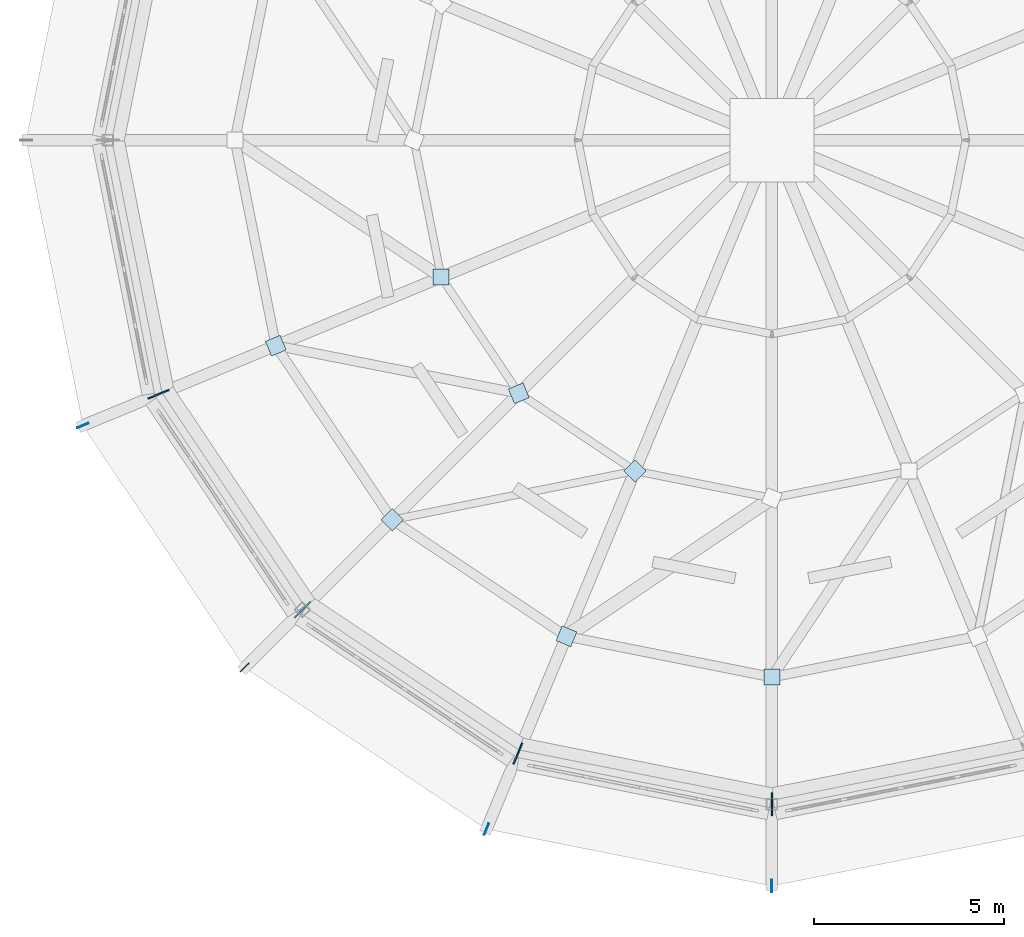
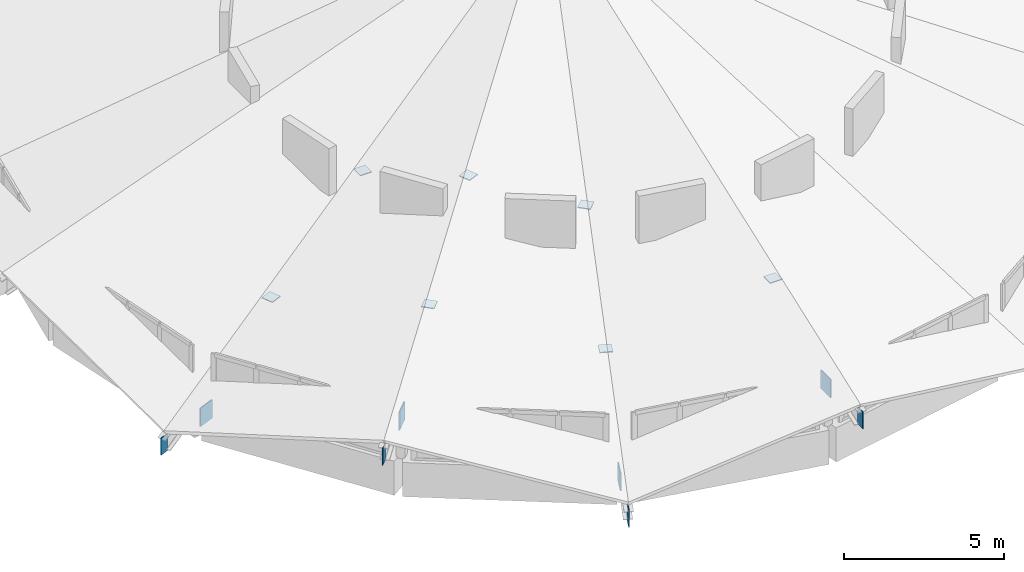
# One storey, part 12 of 18: 15 plates.
"""IFC4 building model written with IfcOpenShell, lengths in metres."""

import ifcopenshell
import ifcopenshell.guid

model = None  # the IFC model being written
_history = None  # IfcOwnerHistory: only IFC2X3 demands one
_inside = {}  # id of a spatial element -> (the spatial element, [elements in it])
_under = {}  # id of a project, library or spatial element -> (it, [spatial elements below it])
_declared = {}  # id of a project -> (the project, [libraries it declares])
_typed = {}  # id of a type object -> (the type object, [elements of that type])
_made_of = {}  # id of a material, layer set ... -> (it, [elements and type objects made of it])


def new_model(schema):
    """Start an empty IFC model of exactly this schema.

    Asked for "IFC4X3", IfcOpenShell would pick the latest addendum, in which some entities
    have other attributes; the version numbers below select the first issue.
    IFC2X3 requires an IfcOwnerHistory on every rooted entity: one is made here for all.
    """
    global model, _history
    if schema == "IFC4X3":
        model = ifcopenshell.file(schema_version=(4, 3, 0, 0))
    else:
        model = ifcopenshell.file(schema=schema)
    _inside.clear()
    _under.clear()
    _declared.clear()
    _typed.clear()
    _made_of.clear()
    _history = None
    if model.schema == "IFC2X3":
        org = make("IfcOrganization", Name="unknown")
        user = make(
            "IfcPersonAndOrganization",
            ThePerson=make("IfcPerson", FamilyName="unknown"),
            TheOrganization=org,
        )
        app = make(
            "IfcApplication",
            ApplicationDeveloper=org,
            Version="unknown",
            ApplicationFullName="unknown",
            ApplicationIdentifier="unknown",
        )
        _history = make(
            "IfcOwnerHistory",
            OwningUser=user,
            OwningApplication=app,
            ChangeAction="ADDED",
            CreationDate=0,
        )
    return model


def make(cls, **values):
    """One entity of the class cls with the attributes given. An attribute that is None is left unset."""
    return model.create_entity(
        cls, **{name: value for name, value in values.items() if value is not None}
    )


def rooted(cls, **values):
    """An entity with a GlobalId (a new one), such as an element, a storey or a relation."""
    return make(cls, GlobalId=ifcopenshell.guid.new(), OwnerHistory=_history, **values)


def si_unit(unit_type, name, prefix=None):
    """IfcSIUnit, for example si_unit("LENGTHUNIT", "METRE", prefix="MILLI")."""
    return make("IfcSIUnit", UnitType=unit_type, Prefix=prefix, Name=name)


def assignment(units):
    """IfcUnitAssignment: the units of a project."""
    return None if units is None else make("IfcUnitAssignment", Units=units)


def point(xyz):
    """IfcCartesianPoint."""
    return None if xyz is None else make("IfcCartesianPoint", Coordinates=xyz)


def direction(xyz):
    """IfcDirection."""
    return None if xyz is None else make("IfcDirection", DirectionRatios=xyz)


def frame(location, z_axis=None, x_axis=None):
    """IfcAxis2Placement3D, a coordinate frame: its origin and axes. An axis left out is left unset."""
    return make(
        "IfcAxis2Placement3D",
        Location=point(location),
        Axis=direction(z_axis),
        RefDirection=direction(x_axis),
    )


def frame_2d(location, x_axis=None):
    """IfcAxis2Placement2D, a coordinate frame in the plane: its origin and x axis."""
    return make(
        "IfcAxis2Placement2D", Location=point(location), RefDirection=direction(x_axis)
    )


def origin():
    """The frame at (0, 0, 0) with its axes left unset."""
    return frame((0.0, 0.0, 0.0))


def origin_2d():
    """The frame at (0, 0) in the plane with its x axis left unset."""
    return frame_2d((0.0, 0.0))


def place(relative_to, where):
    """IfcLocalPlacement: puts the frame where relative to a parent placement (None: the world)."""
    return make(
        "IfcLocalPlacement", PlacementRelTo=relative_to, RelativePlacement=where
    )


def context(
    kind, dimensions, precision=None, world=None, true_north=None, identifier=None
):
    """IfcGeometricRepresentationContext, for example the 3D "Model" context."""
    return make(
        "IfcGeometricRepresentationContext",
        ContextIdentifier=identifier,
        ContextType=kind,
        CoordinateSpaceDimension=dimensions,
        Precision=precision,
        WorldCoordinateSystem=world,
        TrueNorth=true_north,
    )


def subcontext(parent, identifier, kind, view, scale=None):
    """IfcGeometricRepresentationSubContext, for example "Body" below "Model"."""
    return make(
        "IfcGeometricRepresentationSubContext",
        ContextIdentifier=identifier,
        ContextType=kind,
        ParentContext=parent,
        TargetScale=scale,
        TargetView=view,
    )


def project(units=None, contexts=None):
    """IfcProject with its units and contexts."""
    return rooted(
        "IfcProject",
        Name="project",
        RepresentationContexts=contexts,
        UnitsInContext=assignment(units),
    )


def spatial(cls, under=None, at=None, **own):
    """A site, building, storey or space (cls), placed at a placement, below another one or the project."""
    s = rooted(cls, ObjectPlacement=at, **own)
    if under is not None:
        _under.setdefault(under.id(), (under, []))[1].append(s)
    return s


def profile(cls, at=None, kind="AREA", **sizes):
    """A parametric profile (cls). Its sizes go by their IFC names, for example OverallWidth=200.0."""
    return make(cls, ProfileType=kind, Position=at, **sizes)


def rectangle(**sizes):
    """IfcRectangleProfileDef."""
    return profile("IfcRectangleProfileDef", **sizes)


def extrude(swept, where, along, depth):
    """IfcExtrudedAreaSolid: the profile swept, set in the frame where, extruded along a direction by depth."""
    return make(
        "IfcExtrudedAreaSolid",
        SweptArea=swept,
        Position=where,
        ExtrudedDirection=direction(along),
        Depth=depth,
    )


def shape(context_of_items, identifier, shape_type, items):
    """IfcShapeRepresentation: the items that make up one representation, for example the "Body"."""
    return make(
        "IfcShapeRepresentation",
        ContextOfItems=context_of_items,
        RepresentationIdentifier=identifier,
        RepresentationType=shape_type,
        Items=items,
    )


def material(Name=None, Category=None):
    """IfcMaterial."""
    return make("IfcMaterial", Name=Name, Category=Category)


def layer(
    of_material, thickness, ventilated=None, Name=None, Category=None, Priority=None
):
    """IfcMaterialLayer: one layer of a wall or slab, of a material (None: an air gap)."""
    return make(
        "IfcMaterialLayer",
        Material=of_material,
        LayerThickness=thickness,
        IsVentilated=ventilated,
        Name=Name,
        Category=Category,
        Priority=Priority,
    )


def layer_set(layers, Name=None):
    """IfcMaterialLayerSet."""
    return make("IfcMaterialLayerSet", MaterialLayers=layers, LayerSetName=Name)


def made_of(thing, what):
    """Note that an element or type object is made of a material, layer set ...; save() writes the relation."""
    if what is not None:
        _made_of.setdefault(what.id(), (what, []))[1].append(thing)
    return thing


def type_object(cls, material=None, **own):
    """A type object (cls), such as IfcWallType, which elements share."""
    return made_of(rooted(cls, **own), material)


def element(
    cls,
    number,
    at=None,
    inside=None,
    cuts=None,
    type_object=None,
    material=None,
    context=None,
    identifier="Body",
    shape_type=None,
    held_by="IfcProductDefinitionShape",
    body=None,
    shapes=None,
    **own,
):
    """One element of the class cls, such as IfcWall. Its Tag is "e" and its number.

    at: its placement. inside: the storey or other place that contains it. cuts: it is an
    opening in that element (IfcRelVoidsElement). A single representation is given by context,
    identifier, shape_type and body (its items); several are given by shapes. held_by: the class
    of the entity that holds the representations. save() writes the other relations.
    """
    e = rooted(cls, Tag="e%d" % number, ObjectPlacement=at, **own)
    if body is not None:
        shapes = [shape(context, identifier, shape_type, body)]
    if shapes is not None:
        e.Representation = make(held_by, Representations=shapes)
    if inside is not None:
        _inside.setdefault(inside.id(), (inside, []))[1].append(e)
    if cuts is not None:
        rooted(
            "IfcRelVoidsElement", RelatingBuildingElement=cuts, RelatedOpeningElement=e
        )
    if type_object is not None:
        _typed.setdefault(type_object.id(), (type_object, []))[1].append(e)
    return made_of(e, material)


def aggregate(whole, parts):
    """IfcRelAggregates: a whole, such as a stair, and the parts it consists of."""
    return rooted("IfcRelAggregates", RelatingObject=whole, RelatedObjects=parts)


def save(model, path):
    """Write the relations noted so far, then the file.

    IfcRelAggregates (storeys below a building ...), IfcRelContainedInSpatialStructure (elements
    in a storey), IfcRelDefinesByType, IfcRelAssociatesMaterial and IfcRelDeclares: one each for
    every whole, place, type object, material and project.
    """
    for whole, parts in _under.values():
        aggregate(whole, parts)
    for where, things in _inside.values():
        rooted(
            "IfcRelContainedInSpatialStructure",
            RelatedElements=things,
            RelatingStructure=where,
        )
    for kind, things in _typed.values():
        rooted("IfcRelDefinesByType", RelatedObjects=things, RelatingType=kind)
    for what, things in _made_of.values():
        rooted("IfcRelAssociatesMaterial", RelatedObjects=things, RelatingMaterial=what)
    for by, libraries in _declared.values():
        rooted("IfcRelDeclares", RelatingContext=by, RelatedDefinitions=libraries)
    model.write(path)


model = new_model("IFC4")

# Units and contexts
model_context = context("Model", 3, precision=1e-05, world=origin(), true_north=direction((0.0, 1.0)))
body_context = subcontext(model_context, "Body", "Model", "MODEL_VIEW")
ifc_project = project(units=[si_unit("LENGTHUNIT", "METRE"), si_unit("AREAUNIT", "SQUARE_METRE"), si_unit("VOLUMEUNIT", "CUBIC_METRE"), si_unit("PLANEANGLEUNIT", "RADIAN"), si_unit("MASSUNIT", "GRAM", prefix="KILO")], contexts=[model_context])

# Site, building, storey
site_placement = place(None, origin())
site = spatial("IfcSite", under=ifc_project, at=site_placement, CompositionType="ELEMENT")
building_placement = place(site_placement, origin())
building = spatial("IfcBuilding", under=site, at=building_placement, Name="Soyqirgoq Riverine Aquarium", CompositionType="ELEMENT")
storey_placement = place(building_placement, frame((0.0, 0.0, 29.39990234375)))
storey = spatial("IfcBuildingStorey", under=building, at=storey_placement, Name="RF", CompositionType="ELEMENT", Elevation=29.39990234375)

# Plates
ifc_material_1 = material(Name="Structural steel S355", Category="steel")
ifc_layer_1 = layer(ifc_material_1, 0.031982421875)
ifc_layer_set_1 = layer_set([ifc_layer_1], Name="Structural steel S355")
plate_type_1 = type_object("IfcPlateType", Name="NodeGussetPlate_32_S355", PredefinedType="SHEET", material=ifc_layer_set_1)
for number, where, z_axis, x_axis, name in (
    (1, (47.30810546875, 53.399658203125, 4.22802734375), (0.0, 0.0, 1.0), (-1.0, 0.0, 0.0), "V1 Radial Truss Brace End Gusset Plate 102"),
    (2, (42.962158203125, 51.599609375, 2.02001953125), (0.0, 0.0, 1.0), (-0.923879532511, -0.382683432365, 0.0), "V1 Radial Truss Brace End Gusset Plate 103"),
    (3, (49.347412109375, 50.347412109375, 5.18798828125), (0.0, 0.0, 1.0), (-0.923879532511, -0.382683432365, 0.0), "V1 Radial Truss Brace End Gusset Plate 104"),
    (4, (46.021240234375, 47.021240234375, 3.4599609375), (0.0, 0.0, 1.0), (-0.707106781187, -0.707106781187, 0.0), "V1 Radial Truss Brace End Gusset Plate 105"),
    (5, (52.399658203125, 48.30810546875, 4.22802734375), (0.0, 0.0, 1.0), (-0.707106781187, -0.707106781187, 0.0), "V1 Radial Truss Brace End Gusset Plate 106"),
    (6, (50.599609375, 43.962158203125, 2.02001953125), (0.0, 0.0, 1.0), (-0.382683432365, -0.923879532511, 0.0), "V1 Radial Truss Brace End Gusset Plate 107"),
    (7, (56.0, 42.887939453125, 3.4599609375), (0.0, 0.0, 1.0), (0.0, -1.0, 0.0), "V1 Radial Truss Brace End Gusset Plate 109"),
):
    element("IfcPlate", number, at=place(storey_placement, frame(where, z_axis=z_axis, x_axis=x_axis)), inside=storey, type_object=plate_type_1, Name=name, PredefinedType="SHEET", context=body_context, shape_type="SweptSolid", body=[
        extrude(rectangle(XDim=0.419921875, YDim=0.419921875, at=origin_2d()), origin(), (0.0, 0.0, 1.0), 0.031982421875),
    ])
ifc_material_2 = material(Name="Structural steel S355", Category="steel")
ifc_layer_2 = layer(ifc_material_2, 0.0400390625)
ifc_layer_set_2 = layer_set([ifc_layer_2], Name="Structural steel S355")
plate_type_2 = type_object("IfcPlateType", Name="NodeGussetPlate_40_S355", PredefinedType="SHEET", material=ifc_layer_set_2)
for number, where, z_axis, x_axis, name in (
    (8, (39.87841796875, 50.322265625, -0.8701171875), (0.0, 0.0, 1.0), (-0.923879532511, -0.382683432365, 0.0), "V1 Folded-Plate Ring Node Gusset 072"),
    (9, (43.660888671875, 44.660888671875, 1.1298828125), (0.0, 0.0, 1.0), (-0.707106781187, -0.707106781187, 0.0), "V1 Folded-Plate Ring Node Gusset 074"),
    (10, (49.322265625, 40.87841796875, -0.8701171875), (0.0, 0.0, 1.0), (-0.382683432365, -0.923879532511, 0.0), "V1 Folded-Plate Ring Node Gusset 076"),
    (11, (56.0, 39.550048828125, 1.1298828125), (0.0, 0.0, 1.0), (0.0, -1.0, 0.0), "V1 Folded-Plate Ring Node Gusset 078"),
):
    element("IfcPlate", number, at=place(storey_placement, frame(where, z_axis=z_axis, x_axis=x_axis)), inside=storey, type_object=plate_type_2, Name=name, PredefinedType="SHEET", context=body_context, shape_type="SweptSolid", body=[
        extrude(rectangle(XDim=0.60009765625, YDim=0.0400390625, at=origin_2d()), origin(), (0.0, 0.0, 1.0), 0.699951171875),
    ])
ifc_material_3 = material(Name="Structural steel S355", Category="steel")
ifc_layer_3 = layer(ifc_material_3, 0.02001953125)
ifc_layer_set_3 = layer_set([ifc_layer_3], Name="Structural steel S355")
plate_type_3 = type_object("IfcPlateType", Name="TubeCapPlate_20_S355", PredefinedType="USERDEFINED", material=ifc_layer_set_3)
plate_1_placement = place(storey_placement, frame((48.49951171875, 38.89208984375, -0.844970703125), z_axis=(0.0, 0.0, 1.0), x_axis=(-0.382683432365, -0.923879532511, 0.0)))
element("IfcPlate", 12, at=plate_1_placement, inside=storey, type_object=plate_type_3, Name="V1 Folded-Plate Eave Rib Cap Plate 075", ObjectType="FLANGE_PLATE", PredefinedType="USERDEFINED", context=body_context, shape_type="SweptSolid", body=[
    extrude(rectangle(XDim=0.320068359375, YDim=0.02001953125, at=origin_2d()), origin(), (0.0, 0.0, 1.0), 0.64990234375),
])
ifc_material_4 = material(Name="Structural steel S355", Category="steel")
ifc_layer_4 = layer(ifc_material_4, 0.02197265625)
ifc_layer_set_4 = layer_set([ifc_layer_4], Name="Structural steel S355")
plate_type_4 = type_object("IfcPlateType", Name="TubeCapPlate_22_S355", PredefinedType="USERDEFINED", material=ifc_layer_set_4)
plate_2_placement = place(storey_placement, frame((42.140625, 43.140625, 1.155029296875), z_axis=(0.0, 0.0, 1.0), x_axis=(-0.707106781187, -0.707106781187, 0.0)))
element("IfcPlate", 13, at=plate_2_placement, inside=storey, type_object=plate_type_4, Name="V1 Folded-Plate Eave Rib Cap Plate 073", ObjectType="FLANGE_PLATE", PredefinedType="USERDEFINED", context=body_context, shape_type="SweptSolid", body=[
    extrude(rectangle(XDim=0.320068359375, YDim=0.02197265625, at=origin_2d()), origin(), (0.0, 0.0, 1.0), 0.64990234375),
])
ifc_material_5 = material(Name="Structural steel S355", Category="steel")
ifc_layer_5 = layer(ifc_material_5, 0.02490234375)
ifc_layer_set_5 = layer_set([ifc_layer_5], Name="Structural steel S355")
plate_type_5 = type_object("IfcPlateType", Name="TubeCapPlate_25_S355", PredefinedType="USERDEFINED", material=ifc_layer_set_5)
for number, where, z_axis, x_axis, name in (
    (14, (37.89208984375, 49.49951171875, -0.844970703125), (0.0, 0.0, 1.0), (-0.923879532511, -0.382683432365, 0.0), "V1 Folded-Plate Eave Rib Cap Plate 071"),
    (15, (56.0, 37.39990234375, 1.155029296875), (0.0, 0.0, 1.0), (0.0, -1.0, 0.0), "V1 Folded-Plate Eave Rib Cap Plate 077"),
):
    element("IfcPlate", number, at=place(storey_placement, frame(where, z_axis=z_axis, x_axis=x_axis)), inside=storey, type_object=plate_type_5, Name=name, ObjectType="FLANGE_PLATE", PredefinedType="USERDEFINED", context=body_context, shape_type="SweptSolid", body=[
        extrude(rectangle(XDim=0.320068359375, YDim=0.02490234375, at=origin_2d()), origin(), (0.0, 0.0, 1.0), 0.64990234375),
    ])

save(model, "model.ifc")
